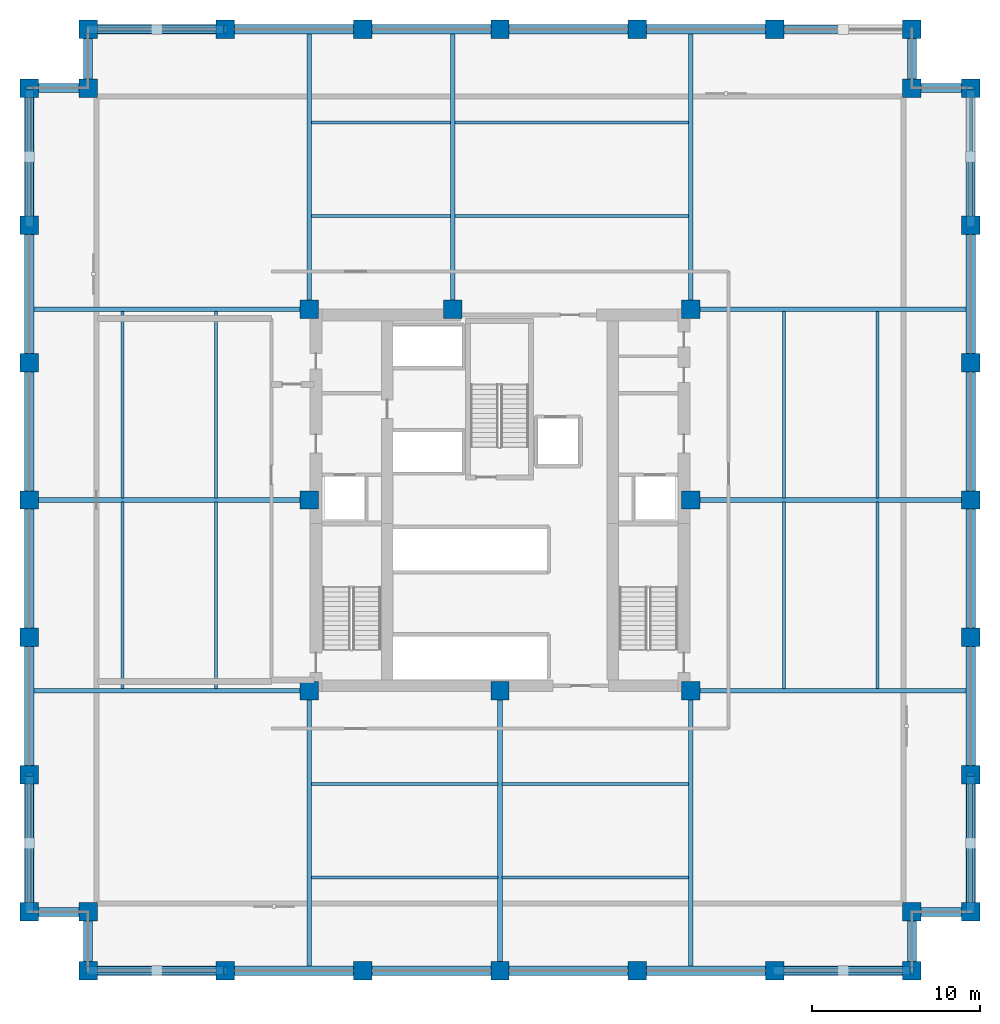
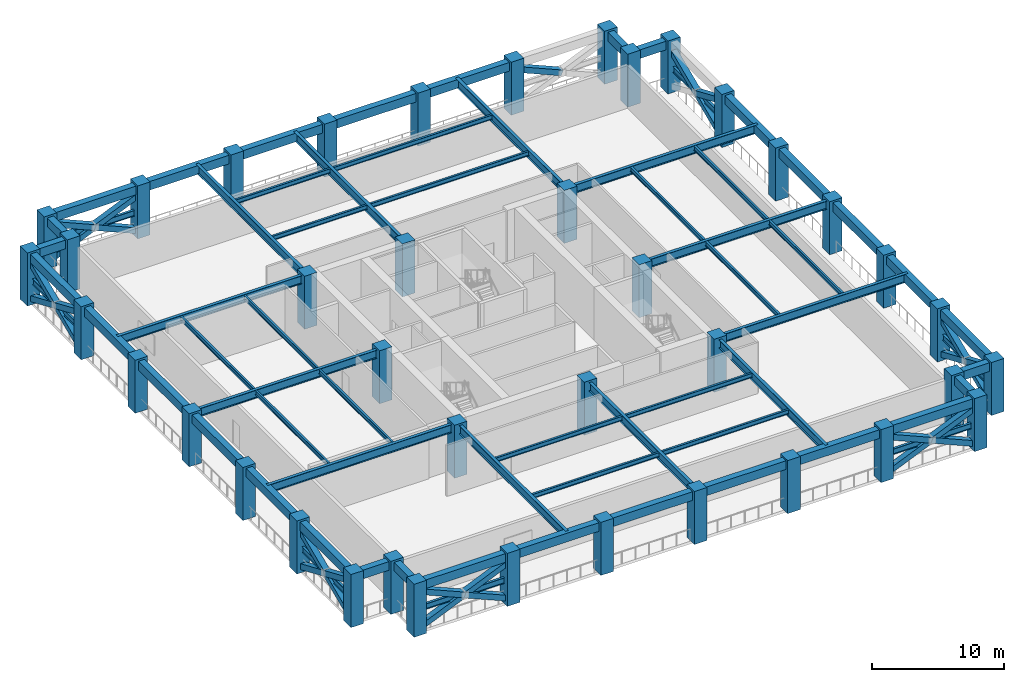
# One storey, part 1 of 11: 65 beams, 40 columns, 21 members.
"""IFC4 building model written with IfcOpenShell, lengths in metres."""

from ifc_helpers import new_model, si_unit, direction, frame, origin, origin_2d, place, context, subcontext, project, spatial, rectangle, hollow_rectangle, i_section, extrude, material, material_profile, profile_set, type_object, element, save


model = new_model("IFC4")

# Units and contexts
model_context = context("Model", 3, precision=1e-05, world=origin(), true_north=direction((0.0, 1.0)))
body_context = subcontext(model_context, "Body", "Model", "MODEL_VIEW")
ifc_project = project(units=[si_unit("LENGTHUNIT", "METRE"), si_unit("AREAUNIT", "SQUARE_METRE"), si_unit("VOLUMEUNIT", "CUBIC_METRE"), si_unit("PLANEANGLEUNIT", "RADIAN"), si_unit("MASSUNIT", "GRAM", prefix="KILO")], contexts=[model_context])

# Site, building, storey
site_placement = place(None, origin())
site = spatial("IfcSite", under=ifc_project, at=site_placement, CompositionType="ELEMENT")
building_placement = place(site_placement, origin())
building = spatial("IfcBuilding", under=site, at=building_placement, Name="Nhamokura Convention Tower", CompositionType="ELEMENT")
storey_placement = place(building_placement, frame((0.0, 0.0, 77.35009765625)))
storey = spatial("IfcBuildingStorey", under=building, at=storey_placement, Name="L18", CompositionType="ELEMENT", Elevation=77.35009765625)

# Columns
ifc_material_1 = material(Name="Concrete C60/75", Category="concrete")
ifc_material_profile_1 = material_profile(ifc_material_1, rectangle(XDim=1.10009765625, YDim=1.10009765625, at=origin_2d()))
ifc_profile_set_1 = profile_set([ifc_material_profile_1], Name="Concrete C60/75")
column_type = type_object("IfcColumnType", Name="TubeColumn_Z1_1100", PredefinedType="COLUMN", material=ifc_profile_set_1)
for number, where, z_axis, x_axis, name in (
    (1, (20.64990234375, 20.64990234375, 0.0), (0.0, 0.0, 1.0), (1.0, 0.0, 0.0), "L18 Core Column CC-SW"),
    (2, (32.0, 20.64990234375, 0.0), (0.0, 0.0, 1.0), (1.0, 0.0, 0.0), "L18 Core Column CC-S"),
    (3, (43.35009765625, 20.64990234375, 0.0), (0.0, 0.0, 1.0), (1.0, 0.0, 0.0), "L18 Core Column CC-SE"),
    (4, (43.35009765625, 32.0, 0.0), (0.0, 0.0, 1.0), (1.0, 0.0, 0.0), "L18 Core Column CC-E"),
    (5, (43.35009765625, 43.35009765625, 0.0), (0.0, 0.0, 1.0), (1.0, 0.0, 0.0), "L18 Core Column CC-NE"),
    (6, (29.199951171875, 43.35009765625, 0.0), (0.0, 0.0, 1.0), (1.0, 0.0, 0.0), "L18 Core Column CC-N"),
    (7, (20.64990234375, 43.35009765625, 0.0), (0.0, 0.0, 1.0), (1.0, 0.0, 0.0), "L18 Core Column CC-NW"),
    (8, (20.64990234375, 32.0, 0.0), (0.0, 0.0, 1.0), (1.0, 0.0, 0.0), "L18 Core Column CC-W"),
    (9, (7.5, 4.0, 0.0), (0.0, 0.0, 1.0), (1.0, 0.0, 0.0), "L18 Perimeter Tube Column SW1"),
    (10, (7.5, 7.5, 0.0), (0.0, 0.0, 1.0), (1.0, 0.0, 0.0), "L18 Perimeter Tube Column SW0"),
    (11, (4.0, 7.5, 0.0), (0.0, 0.0, 1.0), (1.0, 0.0, 0.0), "L18 Perimeter Tube Column SW2"),
    (12, (56.5, 4.0, 0.0), (0.0, 0.0, 1.0), (1.0, 0.0, 0.0), "L18 Perimeter Tube Column SE1"),
    (13, (56.5, 7.5, 0.0), (0.0, 0.0, 1.0), (1.0, 0.0, 0.0), "L18 Perimeter Tube Column SE0"),
    (14, (60.0, 7.5, 0.0), (0.0, 0.0, 1.0), (1.0, 0.0, 0.0), "L18 Perimeter Tube Column SE2"),
    (15, (60.0, 56.5, 0.0), (0.0, 0.0, 1.0), (1.0, 0.0, 0.0), "L18 Perimeter Tube Column NE1"),
    (16, (56.5, 56.5, 0.0), (0.0, 0.0, 1.0), (1.0, 0.0, 0.0), "L18 Perimeter Tube Column NE0"),
    (17, (56.5, 60.0, 0.0), (0.0, 0.0, 1.0), (1.0, 0.0, 0.0), "L18 Perimeter Tube Column NE2"),
    (18, (7.5, 60.0, 0.0), (0.0, 0.0, 1.0), (1.0, 0.0, 0.0), "L18 Perimeter Tube Column NW1"),
    (19, (7.5, 56.5, 0.0), (0.0, 0.0, 1.0), (1.0, 0.0, 0.0), "L18 Perimeter Tube Column NW0"),
    (20, (4.0, 56.5, 0.0), (0.0, 0.0, 1.0), (1.0, 0.0, 0.0), "L18 Perimeter Tube Column NW2"),
    (21, (15.666748046875, 4.0, 0.0), (0.0, 0.0, 1.0), (1.0, 0.0, 0.0), "L18 Perimeter Tube Column S1"),
    (22, (15.666748046875, 60.0, 0.0), (0.0, 0.0, 1.0), (1.0, 0.0, 0.0), "L18 Perimeter Tube Column N1"),
    (23, (4.0, 15.666748046875, 0.0), (0.0, 0.0, 1.0), (1.0, 0.0, 0.0), "L18 Perimeter Tube Column W1"),
    (24, (60.0, 15.666748046875, 0.0), (0.0, 0.0, 1.0), (1.0, 0.0, 0.0), "L18 Perimeter Tube Column E1"),
    (25, (23.833251953125, 4.0, 0.0), (0.0, 0.0, 1.0), (1.0, 0.0, 0.0), "L18 Perimeter Tube Column S2"),
    (26, (23.833251953125, 60.0, 0.0), (0.0, 0.0, 1.0), (1.0, 0.0, 0.0), "L18 Perimeter Tube Column N2"),
    (27, (4.0, 23.833251953125, 0.0), (0.0, 0.0, 1.0), (1.0, 0.0, 0.0), "L18 Perimeter Tube Column W2"),
    (28, (60.0, 23.833251953125, 0.0), (0.0, 0.0, 1.0), (1.0, 0.0, 0.0), "L18 Perimeter Tube Column E2"),
    (29, (32.0, 4.0, 0.0), (0.0, 0.0, 1.0), (1.0, 0.0, 0.0), "L18 Perimeter Tube Column S3"),
    (30, (32.0, 60.0, 0.0), (0.0, 0.0, 1.0), (1.0, 0.0, 0.0), "L18 Perimeter Tube Column N3"),
    (31, (4.0, 32.0, 0.0), (0.0, 0.0, 1.0), (1.0, 0.0, 0.0), "L18 Perimeter Tube Column W3"),
    (32, (60.0, 32.0, 0.0), (0.0, 0.0, 1.0), (1.0, 0.0, 0.0), "L18 Perimeter Tube Column E3"),
    (33, (40.166748046875, 4.0, 0.0), (0.0, 0.0, 1.0), (1.0, 0.0, 0.0), "L18 Perimeter Tube Column S4"),
    (34, (40.166748046875, 60.0, 0.0), (0.0, 0.0, 1.0), (1.0, 0.0, 0.0), "L18 Perimeter Tube Column N4"),
    (35, (4.0, 40.166748046875, 0.0), (0.0, 0.0, 1.0), (1.0, 0.0, 0.0), "L18 Perimeter Tube Column W4"),
    (36, (60.0, 40.166748046875, 0.0), (0.0, 0.0, 1.0), (1.0, 0.0, 0.0), "L18 Perimeter Tube Column E4"),
    (37, (48.333251953125, 4.0, 0.0), (0.0, 0.0, 1.0), (1.0, 0.0, 0.0), "L18 Perimeter Tube Column S5"),
    (38, (48.333251953125, 60.0, 0.0), (0.0, 0.0, 1.0), (1.0, 0.0, 0.0), "L18 Perimeter Tube Column N5"),
    (39, (4.0, 48.333251953125, 0.0), (0.0, 0.0, 1.0), (1.0, 0.0, 0.0), "L18 Perimeter Tube Column W5"),
    (40, (60.0, 48.333251953125, 0.0), (0.0, 0.0, 1.0), (1.0, 0.0, 0.0), "L18 Perimeter Tube Column E5"),
):
    element("IfcColumn", number, at=place(storey_placement, frame(where, z_axis=z_axis, x_axis=x_axis)), inside=storey, type_object=column_type, Name=name, PredefinedType="COLUMN", context=body_context, shape_type="SweptSolid", body=[
        extrude(rectangle(XDim=1.10009765625, YDim=1.10009765625, at=origin_2d()), origin(), (0.0, 0.0, 1.0), 4.89990234375),
    ])

# Beams
ifc_material_2 = material(Name="Steel ASTM A992 Gr 50", Category="steel")
ifc_material_profile_2 = material_profile(ifc_material_2, i_section(OverallWidth=0.178955078125, OverallDepth=0.409912109375, WebThickness=0.0087890625, FlangeThickness=0.014404296875, at=origin_2d()))
ifc_profile_set_2 = profile_set([ifc_material_profile_2], Name="Steel ASTM A992 Gr 50")
beam_type_1 = type_object("IfcBeamType", Name="FloorJoist_W410X67", PredefinedType="JOIST", material=ifc_profile_set_2)
for number, where, z_axis, x_axis, name in (
    (41, (20.781982421875, 9.550048828125, 4.514892578125), (1.0, 0.0, 0.0), (0.0, 1.0, 0.0), "L18 Composite Floor Joist S1A"),
    (42, (32.132080078125, 9.550048828125, 4.514892578125), (1.0, 0.0, 0.0), (0.0, 1.0, 0.0), "L18 Composite Floor Joist S1B"),
    (43, (20.781982421875, 15.10009765625, 4.514892578125), (1.0, 0.0, 0.0), (0.0, 1.0, 0.0), "L18 Composite Floor Joist S2A"),
    (44, (32.132080078125, 15.10009765625, 4.514892578125), (1.0, 0.0, 0.0), (0.0, 1.0, 0.0), "L18 Composite Floor Joist S2B"),
):
    element("IfcBeam", number, at=place(storey_placement, frame(where, z_axis=z_axis, x_axis=x_axis)), inside=storey, type_object=beam_type_1, Name=name, PredefinedType="JOIST", context=body_context, shape_type="SweptSolid", body=[
        extrude(i_section(OverallWidth=0.178955078125, OverallDepth=0.409912109375, WebThickness=0.0087890625, FlangeThickness=0.014404296875, at=origin_2d()), origin(), (0.0, 0.0, 1.0), 11.0859375),
    ])
beam_1_placement = place(storey_placement, frame((20.781982421875, 48.89990234375, 4.514892578125), z_axis=(1.0, 0.0, 0.0), x_axis=(0.0, 1.0, 0.0)))
element("IfcBeam", 45, at=beam_1_placement, inside=storey, type_object=beam_type_1, Name="L18 Composite Floor Joist N1A", PredefinedType="JOIST", context=body_context, shape_type="SweptSolid", body=[
    extrude(i_section(OverallWidth=0.178955078125, OverallDepth=0.409912109375, WebThickness=0.0087890625, FlangeThickness=0.014404296875, at=origin_2d()), origin(), (0.0, 0.0, 1.0), 8.2861328125),
])
beam_2_placement = place(storey_placement, frame((29.33203125, 48.89990234375, 4.514892578125), z_axis=(1.0, 0.0, 0.0), x_axis=(0.0, 1.0, 0.0)))
element("IfcBeam", 46, at=beam_2_placement, inside=storey, type_object=beam_type_1, Name="L18 Composite Floor Joist N1B", PredefinedType="JOIST", context=body_context, shape_type="SweptSolid", body=[
    extrude(i_section(OverallWidth=0.178955078125, OverallDepth=0.409912109375, WebThickness=0.0087890625, FlangeThickness=0.014404296875, at=origin_2d()), origin(), (0.0, 0.0, 1.0), 13.885986328125),
])
beam_3_placement = place(storey_placement, frame((20.781982421875, 54.449951171875, 4.514892578125), z_axis=(1.0, 0.0, 0.0), x_axis=(0.0, 1.0, 0.0)))
element("IfcBeam", 47, at=beam_3_placement, inside=storey, type_object=beam_type_1, Name="L18 Composite Floor Joist N2A", PredefinedType="JOIST", context=body_context, shape_type="SweptSolid", body=[
    extrude(i_section(OverallWidth=0.178955078125, OverallDepth=0.409912109375, WebThickness=0.0087890625, FlangeThickness=0.014404296875, at=origin_2d()), origin(), (0.0, 0.0, 1.0), 8.2861328125),
])
beam_4_placement = place(storey_placement, frame((29.33203125, 54.449951171875, 4.514892578125), z_axis=(1.0, 0.0, 0.0), x_axis=(0.0, 1.0, 0.0)))
element("IfcBeam", 48, at=beam_4_placement, inside=storey, type_object=beam_type_1, Name="L18 Composite Floor Joist N2B", PredefinedType="JOIST", context=body_context, shape_type="SweptSolid", body=[
    extrude(i_section(OverallWidth=0.178955078125, OverallDepth=0.409912109375, WebThickness=0.0087890625, FlangeThickness=0.014404296875, at=origin_2d()), origin(), (0.0, 0.0, 1.0), 13.885986328125),
])
for number, where, z_axis, x_axis, name in (
    (49, (9.550048828125, 20.781982421875, 4.514892578125), (0.0, 1.0, 0.0), (-1.0, 0.0, 0.0), "L18 Composite Floor Joist W1A"),
    (50, (9.550048828125, 32.132080078125, 4.514892578125), (0.0, 1.0, 0.0), (-1.0, 0.0, 0.0), "L18 Composite Floor Joist W1B"),
    (51, (15.10009765625, 20.781982421875, 4.514892578125), (0.0, 1.0, 0.0), (-1.0, 0.0, 0.0), "L18 Composite Floor Joist W2A"),
    (52, (15.10009765625, 32.132080078125, 4.514892578125), (0.0, 1.0, 0.0), (-1.0, 0.0, 0.0), "L18 Composite Floor Joist W2B"),
    (53, (48.89990234375, 20.781982421875, 4.514892578125), (0.0, 1.0, 0.0), (-1.0, 0.0, 0.0), "L18 Composite Floor Joist E1A"),
    (54, (48.89990234375, 32.132080078125, 4.514892578125), (0.0, 1.0, 0.0), (-1.0, 0.0, 0.0), "L18 Composite Floor Joist E1B"),
    (55, (54.449951171875, 20.781982421875, 4.514892578125), (0.0, 1.0, 0.0), (-1.0, 0.0, 0.0), "L18 Composite Floor Joist E2A"),
    (56, (54.449951171875, 32.132080078125, 4.514892578125), (0.0, 1.0, 0.0), (-1.0, 0.0, 0.0), "L18 Composite Floor Joist E2B"),
):
    element("IfcBeam", number, at=place(storey_placement, frame(where, z_axis=z_axis, x_axis=x_axis)), inside=storey, type_object=beam_type_1, Name=name, PredefinedType="JOIST", context=body_context, shape_type="SweptSolid", body=[
        extrude(i_section(OverallWidth=0.178955078125, OverallDepth=0.409912109375, WebThickness=0.0087890625, FlangeThickness=0.014404296875, at=origin_2d()), origin(), (0.0, 0.0, 1.0), 11.0859375),
    ])

# Members
ifc_material_3 = material(Name="Steel ASTM A572 Gr 50", Category="steel")
ifc_material_profile_3 = material_profile(ifc_material_3, hollow_rectangle(XDim=0.5, YDim=0.5, WallThickness=0.02490234375, at=origin_2d()))
ifc_profile_set_3 = profile_set([ifc_material_profile_3], Name="Steel ASTM A572 Gr 50")
member_type = type_object("IfcMemberType", Name="OutriggerBrace_HSS500", PredefinedType="BRACE", material=ifc_profile_set_3)
member_1_placement = place(storey_placement, frame((7.5, 4.0, 0.349853515625), z_axis=(0.918329419964, 0.0, 0.395816973395), x_axis=(0.0, 1.0, 0.0)))
element("IfcMember", 57, at=member_1_placement, inside=storey, type_object=member_type, Name="L18 Continuous Outrigger Diagonal OUT-S0-1", PredefinedType="BRACE", context=body_context, shape_type="SweptSolid", body=[
    extrude(hollow_rectangle(XDim=0.5, YDim=0.5, WallThickness=0.02490234375, at=origin_2d()), origin(), (0.0, 0.0, 1.0), 8.89306640625),
])
for number, where, z_axis, x_axis, name in (
    (58, (7.5, 4.0, 3.869873046875), (0.918325118715, 0.0, -0.395826952515), (0.0, 1.0, 0.0), "L18 Split Outrigger Diagonal OUT-S0-2A"),
    (59, (11.583251953125, 4.0, 2.10986328125), (0.918333720889, 0.0, -0.395806994732), (0.0, 1.0, 0.0), "L18 Split Outrigger Diagonal OUT-S0-2B"),
):
    element("IfcMember", number, at=place(storey_placement, frame(where, z_axis=z_axis, x_axis=x_axis)), inside=storey, type_object=member_type, Name=name, PredefinedType="BRACE", context=body_context, shape_type="SweptSolid", body=[
        extrude(hollow_rectangle(XDim=0.5, YDim=0.5, WallThickness=0.02490234375, at=origin_2d()), origin(), (0.0, 0.0, 1.0), 4.446533203125),
    ])
member_2_placement = place(storey_placement, frame((48.333251953125, 4.0, 0.349853515625), z_axis=(0.918329419964, 0.0, 0.395816973395), x_axis=(0.0, 1.0, 0.0)))
element("IfcMember", 60, at=member_2_placement, inside=storey, type_object=member_type, Name="L18 Continuous Outrigger Diagonal OUT-S5-1", PredefinedType="BRACE", context=body_context, shape_type="SweptSolid", body=[
    extrude(hollow_rectangle(XDim=0.5, YDim=0.5, WallThickness=0.02490234375, at=origin_2d()), origin(), (0.0, 0.0, 1.0), 8.89306640625),
])
for number, where, z_axis, x_axis, name in (
    (61, (48.333251953125, 4.0, 3.869873046875), (0.918333720889, 0.0, -0.395806994732), (0.0, 1.0, 0.0), "L18 Split Outrigger Diagonal OUT-S5-2A"),
    (62, (52.416748046875, 4.0, 2.10986328125), (0.918325118715, 0.0, -0.395826952515), (0.0, 1.0, 0.0), "L18 Split Outrigger Diagonal OUT-S5-2B"),
):
    element("IfcMember", number, at=place(storey_placement, frame(where, z_axis=z_axis, x_axis=x_axis)), inside=storey, type_object=member_type, Name=name, PredefinedType="BRACE", context=body_context, shape_type="SweptSolid", body=[
        extrude(hollow_rectangle(XDim=0.5, YDim=0.5, WallThickness=0.02490234375, at=origin_2d()), origin(), (0.0, 0.0, 1.0), 4.446533203125),
    ])
member_3_placement = place(storey_placement, frame((7.5, 60.0, 0.349853515625), z_axis=(0.918329419964, 0.0, 0.395816973395), x_axis=(0.0, 1.0, 0.0)))
element("IfcMember", 63, at=member_3_placement, inside=storey, type_object=member_type, Name="L18 Continuous Outrigger Diagonal OUT-N0-1", PredefinedType="BRACE", context=body_context, shape_type="SweptSolid", body=[
    extrude(hollow_rectangle(XDim=0.5, YDim=0.5, WallThickness=0.02490234375, at=origin_2d()), origin(), (0.0, 0.0, 1.0), 8.89306640625),
])
for number, where, z_axis, x_axis, name in (
    (64, (7.5, 60.0, 3.869873046875), (0.918325118715, 0.0, -0.395826952515), (0.0, 1.0, 0.0), "L18 Split Outrigger Diagonal OUT-N0-2A"),
    (65, (11.583251953125, 60.0, 2.10986328125), (0.918333720889, 0.0, -0.395806994732), (0.0, 1.0, 0.0), "L18 Split Outrigger Diagonal OUT-N0-2B"),
    (66, (48.333251953125, 60.0, 3.869873046875), (0.918333720889, 0.0, -0.395806994732), (0.0, 1.0, 0.0), "L18 Split Outrigger Diagonal OUT-N5-2A"),
):
    element("IfcMember", number, at=place(storey_placement, frame(where, z_axis=z_axis, x_axis=x_axis)), inside=storey, type_object=member_type, Name=name, PredefinedType="BRACE", context=body_context, shape_type="SweptSolid", body=[
        extrude(hollow_rectangle(XDim=0.5, YDim=0.5, WallThickness=0.02490234375, at=origin_2d()), origin(), (0.0, 0.0, 1.0), 4.446533203125),
    ])
member_4_placement = place(storey_placement, frame((4.0, 7.5, 0.349853515625), z_axis=(0.0, 0.918329419964, 0.395816973395), x_axis=(-1.0, 0.0, 0.0)))
element("IfcMember", 67, at=member_4_placement, inside=storey, type_object=member_type, Name="L18 Continuous Outrigger Diagonal OUT-W0-1", PredefinedType="BRACE", context=body_context, shape_type="SweptSolid", body=[
    extrude(hollow_rectangle(XDim=0.5, YDim=0.5, WallThickness=0.02490234375, at=origin_2d()), origin(), (0.0, 0.0, 1.0), 8.89306640625),
])
for number, where, z_axis, x_axis, name in (
    (68, (4.0, 7.5, 3.869873046875), (0.0, 0.918325118715, -0.395826952515), (-1.0, 0.0, 0.0), "L18 Split Outrigger Diagonal OUT-W0-2A"),
    (69, (4.0, 11.583251953125, 2.10986328125), (0.0, 0.918333720889, -0.395806994732), (-1.0, 0.0, 0.0), "L18 Split Outrigger Diagonal OUT-W0-2B"),
):
    element("IfcMember", number, at=place(storey_placement, frame(where, z_axis=z_axis, x_axis=x_axis)), inside=storey, type_object=member_type, Name=name, PredefinedType="BRACE", context=body_context, shape_type="SweptSolid", body=[
        extrude(hollow_rectangle(XDim=0.5, YDim=0.5, WallThickness=0.02490234375, at=origin_2d()), origin(), (0.0, 0.0, 1.0), 4.446533203125),
    ])
member_5_placement = place(storey_placement, frame((4.0, 48.333251953125, 0.349853515625), z_axis=(0.0, 0.918329419964, 0.395816973395), x_axis=(-1.0, 0.0, 0.0)))
element("IfcMember", 70, at=member_5_placement, inside=storey, type_object=member_type, Name="L18 Continuous Outrigger Diagonal OUT-W5-1", PredefinedType="BRACE", context=body_context, shape_type="SweptSolid", body=[
    extrude(hollow_rectangle(XDim=0.5, YDim=0.5, WallThickness=0.02490234375, at=origin_2d()), origin(), (0.0, 0.0, 1.0), 8.89306640625),
])
for number, where, z_axis, x_axis, name in (
    (71, (4.0, 48.333251953125, 3.869873046875), (0.0, 0.918333720889, -0.395806994732), (-1.0, 0.0, 0.0), "L18 Split Outrigger Diagonal OUT-W5-2A"),
    (72, (4.0, 52.416748046875, 2.10986328125), (0.0, 0.918325118715, -0.395826952515), (-1.0, 0.0, 0.0), "L18 Split Outrigger Diagonal OUT-W5-2B"),
):
    element("IfcMember", number, at=place(storey_placement, frame(where, z_axis=z_axis, x_axis=x_axis)), inside=storey, type_object=member_type, Name=name, PredefinedType="BRACE", context=body_context, shape_type="SweptSolid", body=[
        extrude(hollow_rectangle(XDim=0.5, YDim=0.5, WallThickness=0.02490234375, at=origin_2d()), origin(), (0.0, 0.0, 1.0), 4.446533203125),
    ])
member_6_placement = place(storey_placement, frame((60.0, 7.5, 0.349853515625), z_axis=(0.0, 0.918329419964, 0.395816973395), x_axis=(-1.0, 0.0, 0.0)))
element("IfcMember", 73, at=member_6_placement, inside=storey, type_object=member_type, Name="L18 Continuous Outrigger Diagonal OUT-E0-1", PredefinedType="BRACE", context=body_context, shape_type="SweptSolid", body=[
    extrude(hollow_rectangle(XDim=0.5, YDim=0.5, WallThickness=0.02490234375, at=origin_2d()), origin(), (0.0, 0.0, 1.0), 8.89306640625),
])
for number, where, z_axis, x_axis, name in (
    (74, (60.0, 7.5, 3.869873046875), (0.0, 0.918325118715, -0.395826952515), (-1.0, 0.0, 0.0), "L18 Split Outrigger Diagonal OUT-E0-2A"),
    (75, (60.0, 11.583251953125, 2.10986328125), (0.0, 0.918333720889, -0.395806994732), (-1.0, 0.0, 0.0), "L18 Split Outrigger Diagonal OUT-E0-2B"),
):
    element("IfcMember", number, at=place(storey_placement, frame(where, z_axis=z_axis, x_axis=x_axis)), inside=storey, type_object=member_type, Name=name, PredefinedType="BRACE", context=body_context, shape_type="SweptSolid", body=[
        extrude(hollow_rectangle(XDim=0.5, YDim=0.5, WallThickness=0.02490234375, at=origin_2d()), origin(), (0.0, 0.0, 1.0), 4.446533203125),
    ])
member_7_placement = place(storey_placement, frame((60.0, 48.333251953125, 0.349853515625), z_axis=(0.0, 0.918329419964, 0.395816973395), x_axis=(-1.0, 0.0, 0.0)))
element("IfcMember", 76, at=member_7_placement, inside=storey, type_object=member_type, Name="L18 Continuous Outrigger Diagonal OUT-E5-1", PredefinedType="BRACE", context=body_context, shape_type="SweptSolid", body=[
    extrude(hollow_rectangle(XDim=0.5, YDim=0.5, WallThickness=0.02490234375, at=origin_2d()), origin(), (0.0, 0.0, 1.0), 8.89306640625),
])
member_8_placement = place(storey_placement, frame((60.0, 48.333251953125, 3.869873046875), z_axis=(0.0, 0.918333720889, -0.395806994732), x_axis=(-1.0, 0.0, 0.0)))
element("IfcMember", 77, at=member_8_placement, inside=storey, type_object=member_type, Name="L18 Split Outrigger Diagonal OUT-E5-2A", PredefinedType="BRACE", context=body_context, shape_type="SweptSolid", body=[
    extrude(hollow_rectangle(XDim=0.5, YDim=0.5, WallThickness=0.02490234375, at=origin_2d()), origin(), (0.0, 0.0, 1.0), 4.446533203125),
])

# Beams
ifc_material_4 = material(Name="Steel ASTM A992 Gr 50", Category="steel")
ifc_material_profile_4 = material_profile(ifc_material_4, i_section(OverallWidth=0.208984375, OverallDepth=0.532958984375, WebThickness=0.01025390625, FlangeThickness=0.015625, at=origin_2d()))
ifc_profile_set_4 = profile_set([ifc_material_profile_4], Name="Steel ASTM A992 Gr 50")
beam_type_2 = type_object("IfcBeamType", Name="PrimaryGirder_W530X92", PredefinedType="BEAM", material=ifc_profile_set_4)
for number, where, z_axis, x_axis, name in (
    (78, (7.5, 4.0, 2.10986328125), (1.0, 0.0, 0.0), (0.0, 1.0, 0.0), "L18 Outrigger X-Brace Node Tie Beam OUT-S0"),
    (79, (48.333251953125, 4.0, 2.10986328125), (1.0, 0.0, 0.0), (0.0, 1.0, 0.0), "L18 Outrigger X-Brace Node Tie Beam OUT-S5"),
    (80, (7.5, 60.0, 2.10986328125), (1.0, 0.0, 0.0), (0.0, 1.0, 0.0), "L18 Outrigger X-Brace Node Tie Beam OUT-N0"),
    (81, (4.0, 7.5, 2.10986328125), (0.0, 1.0, 0.0), (-1.0, 0.0, 0.0), "L18 Outrigger X-Brace Node Tie Beam OUT-W0"),
    (82, (4.0, 48.333251953125, 2.10986328125), (0.0, 1.0, 0.0), (-1.0, 0.0, 0.0), "L18 Outrigger X-Brace Node Tie Beam OUT-W5"),
    (83, (60.0, 7.5, 2.10986328125), (0.0, 1.0, 0.0), (-1.0, 0.0, 0.0), "L18 Outrigger X-Brace Node Tie Beam OUT-E0"),
    (84, (60.0, 48.333251953125, 2.10986328125), (0.0, 1.0, 0.0), (-1.0, 0.0, 0.0), "L18 Outrigger X-Brace Node Tie Beam OUT-E5"),
):
    element("IfcBeam", number, at=place(storey_placement, frame(where, z_axis=z_axis, x_axis=x_axis)), inside=storey, type_object=beam_type_2, Name=name, PredefinedType="BEAM", context=body_context, shape_type="SweptSolid", body=[
        extrude(i_section(OverallWidth=0.208984375, OverallDepth=0.532958984375, WebThickness=0.01025390625, FlangeThickness=0.015625, at=origin_2d()), origin(), (0.0, 0.0, 1.0), 8.166748046875),
    ])
ifc_material_5 = material(Name="Steel ASTM A992 Gr 50", Category="steel")
ifc_material_profile_5 = material_profile(ifc_material_5, i_section(OverallWidth=0.26806640625, OverallDepth=0.77001953125, WebThickness=0.015625, FlangeThickness=0.025390625, at=origin_2d()))
ifc_profile_set_5 = profile_set([ifc_material_profile_5], Name="Steel ASTM A992 Gr 50")
beam_type_3 = type_object("IfcBeamType", Name="PrimaryGirder_W760X196", PredefinedType="BEAM", material=ifc_profile_set_5)
for number, where, z_axis, x_axis, name in (
    (85, (20.64990234375, 4.0, 4.3349609375), (0.0, 1.0, 0.0), (-1.0, 0.0, 0.0), "L18 Primary Floor Girder PG-S1"),
    (86, (32.0, 4.0, 4.3349609375), (0.0, 1.0, 0.0), (-1.0, 0.0, 0.0), "L18 Primary Floor Girder PG-S2"),
    (87, (43.35009765625, 4.0, 4.3349609375), (0.0, 1.0, 0.0), (-1.0, 0.0, 0.0), "L18 Primary Floor Girder PG-S3"),
    (88, (20.64990234375, 43.35009765625, 4.3349609375), (0.0, 1.0, 0.0), (-1.0, 0.0, 0.0), "L18 Primary Floor Girder PG-N1"),
    (89, (29.199951171875, 43.35009765625, 4.3349609375), (0.0, 1.0, 0.0), (-1.0, 0.0, 0.0), "L18 Primary Floor Girder PG-N2"),
    (90, (43.35009765625, 43.35009765625, 4.3349609375), (0.0, 1.0, 0.0), (-1.0, 0.0, 0.0), "L18 Primary Floor Girder PG-N3"),
    (91, (4.0, 20.64990234375, 4.3349609375), (1.0, 0.0, 0.0), (0.0, 1.0, 0.0), "L18 Primary Floor Girder PG-W1"),
    (92, (4.0, 32.0, 4.3349609375), (1.0, 0.0, 0.0), (0.0, 1.0, 0.0), "L18 Primary Floor Girder PG-W2"),
    (93, (4.0, 43.35009765625, 4.3349609375), (1.0, 0.0, 0.0), (0.0, 1.0, 0.0), "L18 Primary Floor Girder PG-W3"),
    (94, (43.35009765625, 20.64990234375, 4.3349609375), (1.0, 0.0, 0.0), (0.0, 1.0, 0.0), "L18 Primary Floor Girder PG-E1"),
    (95, (43.35009765625, 32.0, 4.3349609375), (1.0, 0.0, 0.0), (0.0, 1.0, 0.0), "L18 Primary Floor Girder PG-E2"),
    (96, (43.35009765625, 43.35009765625, 4.3349609375), (1.0, 0.0, 0.0), (0.0, 1.0, 0.0), "L18 Primary Floor Girder PG-E3"),
):
    element("IfcBeam", number, at=place(storey_placement, frame(where, z_axis=z_axis, x_axis=x_axis)), inside=storey, type_object=beam_type_3, Name=name, PredefinedType="BEAM", context=body_context, shape_type="SweptSolid", body=[
        extrude(i_section(OverallWidth=0.26806640625, OverallDepth=0.77001953125, WebThickness=0.015625, FlangeThickness=0.025390625, at=origin_2d()), origin(), (0.0, 0.0, 1.0), 16.64990234375),
    ])
ifc_material_6 = material(Name="Concrete C50/60", Category="concrete")
ifc_material_profile_6 = material_profile(ifc_material_6, rectangle(XDim=0.550048828125, YDim=0.800048828125, at=origin_2d()))
ifc_profile_set_6 = profile_set([ifc_material_profile_6], Name="Concrete C50/60")
beam_type_4 = type_object("IfcBeamType", Name="TubeSpandrel_800", PredefinedType="SPANDREL", material=ifc_profile_set_6)
beam_5_placement = place(storey_placement, frame((7.5, 4.0, 4.31982421875), z_axis=(1.0, 0.0, 0.0), x_axis=(0.0, 1.0, 0.0)))
element("IfcBeam", 97, at=beam_5_placement, inside=storey, type_object=beam_type_4, Name="L18 Perimeter Spandrel SOUTH 1", PredefinedType="SPANDREL", context=body_context, shape_type="SweptSolid", body=[
    extrude(rectangle(XDim=0.550048828125, YDim=0.800048828125, at=origin_2d()), origin(), (0.0, 0.0, 1.0), 8.166748046875),
])
beam_6_placement = place(storey_placement, frame((15.666748046875, 4.0, 4.31982421875), z_axis=(1.0, 0.0, 0.0), x_axis=(0.0, 1.0, 0.0)))
element("IfcBeam", 98, at=beam_6_placement, inside=storey, type_object=beam_type_4, Name="L18 Perimeter Spandrel SOUTH 2", PredefinedType="SPANDREL", context=body_context, shape_type="SweptSolid", body=[
    extrude(rectangle(XDim=0.550048828125, YDim=0.800048828125, at=origin_2d()), origin(), (0.0, 0.0, 1.0), 8.16650390625),
])
for number, where, z_axis, x_axis, name in (
    (99, (23.833251953125, 4.0, 4.31982421875), (1.0, 0.0, 0.0), (0.0, 1.0, 0.0), "L18 Perimeter Spandrel SOUTH 3"),
    (100, (32.0, 4.0, 4.31982421875), (1.0, 0.0, 0.0), (0.0, 1.0, 0.0), "L18 Perimeter Spandrel SOUTH 4"),
):
    element("IfcBeam", number, at=place(storey_placement, frame(where, z_axis=z_axis, x_axis=x_axis)), inside=storey, type_object=beam_type_4, Name=name, PredefinedType="SPANDREL", context=body_context, shape_type="SweptSolid", body=[
        extrude(rectangle(XDim=0.550048828125, YDim=0.800048828125, at=origin_2d()), origin(), (0.0, 0.0, 1.0), 8.166748046875),
    ])
beam_7_placement = place(storey_placement, frame((40.166748046875, 4.0, 4.31982421875), z_axis=(1.0, 0.0, 0.0), x_axis=(0.0, 1.0, 0.0)))
element("IfcBeam", 101, at=beam_7_placement, inside=storey, type_object=beam_type_4, Name="L18 Perimeter Spandrel SOUTH 5", PredefinedType="SPANDREL", context=body_context, shape_type="SweptSolid", body=[
    extrude(rectangle(XDim=0.550048828125, YDim=0.800048828125, at=origin_2d()), origin(), (0.0, 0.0, 1.0), 8.16650390625),
])
for number, where, z_axis, x_axis, name in (
    (102, (48.333251953125, 4.0, 4.31982421875), (1.0, 0.0, 0.0), (0.0, 1.0, 0.0), "L18 Perimeter Spandrel SOUTH 6"),
    (103, (7.5, 60.0, 4.31982421875), (1.0, 0.0, 0.0), (0.0, 1.0, 0.0), "L18 Perimeter Spandrel NORTH 1"),
):
    element("IfcBeam", number, at=place(storey_placement, frame(where, z_axis=z_axis, x_axis=x_axis)), inside=storey, type_object=beam_type_4, Name=name, PredefinedType="SPANDREL", context=body_context, shape_type="SweptSolid", body=[
        extrude(rectangle(XDim=0.550048828125, YDim=0.800048828125, at=origin_2d()), origin(), (0.0, 0.0, 1.0), 8.166748046875),
    ])
beam_8_placement = place(storey_placement, frame((15.666748046875, 60.0, 4.31982421875), z_axis=(1.0, 0.0, 0.0), x_axis=(0.0, 1.0, 0.0)))
element("IfcBeam", 104, at=beam_8_placement, inside=storey, type_object=beam_type_4, Name="L18 Perimeter Spandrel NORTH 2", PredefinedType="SPANDREL", context=body_context, shape_type="SweptSolid", body=[
    extrude(rectangle(XDim=0.550048828125, YDim=0.800048828125, at=origin_2d()), origin(), (0.0, 0.0, 1.0), 8.16650390625),
])
for number, where, z_axis, x_axis, name in (
    (105, (23.833251953125, 60.0, 4.31982421875), (1.0, 0.0, 0.0), (0.0, 1.0, 0.0), "L18 Perimeter Spandrel NORTH 3"),
    (106, (32.0, 60.0, 4.31982421875), (1.0, 0.0, 0.0), (0.0, 1.0, 0.0), "L18 Perimeter Spandrel NORTH 4"),
):
    element("IfcBeam", number, at=place(storey_placement, frame(where, z_axis=z_axis, x_axis=x_axis)), inside=storey, type_object=beam_type_4, Name=name, PredefinedType="SPANDREL", context=body_context, shape_type="SweptSolid", body=[
        extrude(rectangle(XDim=0.550048828125, YDim=0.800048828125, at=origin_2d()), origin(), (0.0, 0.0, 1.0), 8.166748046875),
    ])
beam_9_placement = place(storey_placement, frame((40.166748046875, 60.0, 4.31982421875), z_axis=(1.0, 0.0, 0.0), x_axis=(0.0, 1.0, 0.0)))
element("IfcBeam", 107, at=beam_9_placement, inside=storey, type_object=beam_type_4, Name="L18 Perimeter Spandrel NORTH 5", PredefinedType="SPANDREL", context=body_context, shape_type="SweptSolid", body=[
    extrude(rectangle(XDim=0.550048828125, YDim=0.800048828125, at=origin_2d()), origin(), (0.0, 0.0, 1.0), 8.16650390625),
])
beam_10_placement = place(storey_placement, frame((4.0, 7.5, 4.31982421875), z_axis=(0.0, 1.0, 0.0), x_axis=(-1.0, 0.0, 0.0)))
element("IfcBeam", 108, at=beam_10_placement, inside=storey, type_object=beam_type_4, Name="L18 Perimeter Spandrel WEST 1", PredefinedType="SPANDREL", context=body_context, shape_type="SweptSolid", body=[
    extrude(rectangle(XDim=0.550048828125, YDim=0.800048828125, at=origin_2d()), origin(), (0.0, 0.0, 1.0), 8.166748046875),
])
beam_11_placement = place(storey_placement, frame((4.0, 15.666748046875, 4.31982421875), z_axis=(0.0, 1.0, 0.0), x_axis=(-1.0, 0.0, 0.0)))
element("IfcBeam", 109, at=beam_11_placement, inside=storey, type_object=beam_type_4, Name="L18 Perimeter Spandrel WEST 2", PredefinedType="SPANDREL", context=body_context, shape_type="SweptSolid", body=[
    extrude(rectangle(XDim=0.550048828125, YDim=0.800048828125, at=origin_2d()), origin(), (0.0, 0.0, 1.0), 8.16650390625),
])
for number, where, z_axis, x_axis, name in (
    (110, (4.0, 23.833251953125, 4.31982421875), (0.0, 1.0, 0.0), (-1.0, 0.0, 0.0), "L18 Perimeter Spandrel WEST 3"),
    (111, (4.0, 32.0, 4.31982421875), (0.0, 1.0, 0.0), (-1.0, 0.0, 0.0), "L18 Perimeter Spandrel WEST 4"),
):
    element("IfcBeam", number, at=place(storey_placement, frame(where, z_axis=z_axis, x_axis=x_axis)), inside=storey, type_object=beam_type_4, Name=name, PredefinedType="SPANDREL", context=body_context, shape_type="SweptSolid", body=[
        extrude(rectangle(XDim=0.550048828125, YDim=0.800048828125, at=origin_2d()), origin(), (0.0, 0.0, 1.0), 8.166748046875),
    ])
beam_12_placement = place(storey_placement, frame((4.0, 40.166748046875, 4.31982421875), z_axis=(0.0, 1.0, 0.0), x_axis=(-1.0, 0.0, 0.0)))
element("IfcBeam", 112, at=beam_12_placement, inside=storey, type_object=beam_type_4, Name="L18 Perimeter Spandrel WEST 5", PredefinedType="SPANDREL", context=body_context, shape_type="SweptSolid", body=[
    extrude(rectangle(XDim=0.550048828125, YDim=0.800048828125, at=origin_2d()), origin(), (0.0, 0.0, 1.0), 8.16650390625),
])
for number, where, z_axis, x_axis, name in (
    (113, (4.0, 48.333251953125, 4.31982421875), (0.0, 1.0, 0.0), (-1.0, 0.0, 0.0), "L18 Perimeter Spandrel WEST 6"),
    (114, (60.0, 7.5, 4.31982421875), (0.0, 1.0, 0.0), (-1.0, 0.0, 0.0), "L18 Perimeter Spandrel EAST 1"),
):
    element("IfcBeam", number, at=place(storey_placement, frame(where, z_axis=z_axis, x_axis=x_axis)), inside=storey, type_object=beam_type_4, Name=name, PredefinedType="SPANDREL", context=body_context, shape_type="SweptSolid", body=[
        extrude(rectangle(XDim=0.550048828125, YDim=0.800048828125, at=origin_2d()), origin(), (0.0, 0.0, 1.0), 8.166748046875),
    ])
beam_13_placement = place(storey_placement, frame((60.0, 15.666748046875, 4.31982421875), z_axis=(0.0, 1.0, 0.0), x_axis=(-1.0, 0.0, 0.0)))
element("IfcBeam", 115, at=beam_13_placement, inside=storey, type_object=beam_type_4, Name="L18 Perimeter Spandrel EAST 2", PredefinedType="SPANDREL", context=body_context, shape_type="SweptSolid", body=[
    extrude(rectangle(XDim=0.550048828125, YDim=0.800048828125, at=origin_2d()), origin(), (0.0, 0.0, 1.0), 8.16650390625),
])
for number, where, z_axis, x_axis, name in (
    (116, (60.0, 23.833251953125, 4.31982421875), (0.0, 1.0, 0.0), (-1.0, 0.0, 0.0), "L18 Perimeter Spandrel EAST 3"),
    (117, (60.0, 32.0, 4.31982421875), (0.0, 1.0, 0.0), (-1.0, 0.0, 0.0), "L18 Perimeter Spandrel EAST 4"),
):
    element("IfcBeam", number, at=place(storey_placement, frame(where, z_axis=z_axis, x_axis=x_axis)), inside=storey, type_object=beam_type_4, Name=name, PredefinedType="SPANDREL", context=body_context, shape_type="SweptSolid", body=[
        extrude(rectangle(XDim=0.550048828125, YDim=0.800048828125, at=origin_2d()), origin(), (0.0, 0.0, 1.0), 8.166748046875),
    ])
beam_14_placement = place(storey_placement, frame((60.0, 40.166748046875, 4.31982421875), z_axis=(0.0, 1.0, 0.0), x_axis=(-1.0, 0.0, 0.0)))
element("IfcBeam", 118, at=beam_14_placement, inside=storey, type_object=beam_type_4, Name="L18 Perimeter Spandrel EAST 5", PredefinedType="SPANDREL", context=body_context, shape_type="SweptSolid", body=[
    extrude(rectangle(XDim=0.550048828125, YDim=0.800048828125, at=origin_2d()), origin(), (0.0, 0.0, 1.0), 8.16650390625),
])
for number, where, z_axis, x_axis, name in (
    (119, (7.5, 4.0, 4.31982421875), (0.0, 1.0, 0.0), (-1.0, 0.0, 0.0), "L18 Notch Spandrel SW1"),
    (120, (7.5, 7.5, 4.31982421875), (-1.0, 0.0, 0.0), (0.0, -1.0, 0.0), "L18 Notch Spandrel SW2"),
    (121, (56.5, 4.0, 4.31982421875), (0.0, 1.0, 0.0), (-1.0, 0.0, 0.0), "L18 Notch Spandrel SE1"),
    (122, (56.5, 7.5, 4.31982421875), (1.0, 0.0, 0.0), (0.0, 1.0, 0.0), "L18 Notch Spandrel SE2"),
    (123, (60.0, 56.5, 4.31982421875), (-1.0, 0.0, 0.0), (0.0, -1.0, 0.0), "L18 Notch Spandrel NE1"),
    (124, (56.5, 56.5, 4.31982421875), (0.0, 1.0, 0.0), (-1.0, 0.0, 0.0), "L18 Notch Spandrel NE2"),
    (125, (7.5, 60.0, 4.31982421875), (0.0, -1.0, 0.0), (1.0, 0.0, 0.0), "L18 Notch Spandrel NW1"),
    (126, (7.5, 56.5, 4.31982421875), (-1.0, 0.0, 0.0), (0.0, -1.0, 0.0), "L18 Notch Spandrel NW2"),
):
    element("IfcBeam", number, at=place(storey_placement, frame(where, z_axis=z_axis, x_axis=x_axis)), inside=storey, type_object=beam_type_4, Name=name, PredefinedType="SPANDREL", context=body_context, shape_type="SweptSolid", body=[
        extrude(rectangle(XDim=0.550048828125, YDim=0.800048828125, at=origin_2d()), origin(), (0.0, 0.0, 1.0), 3.5),
    ])

save(model, "model.ifc")
